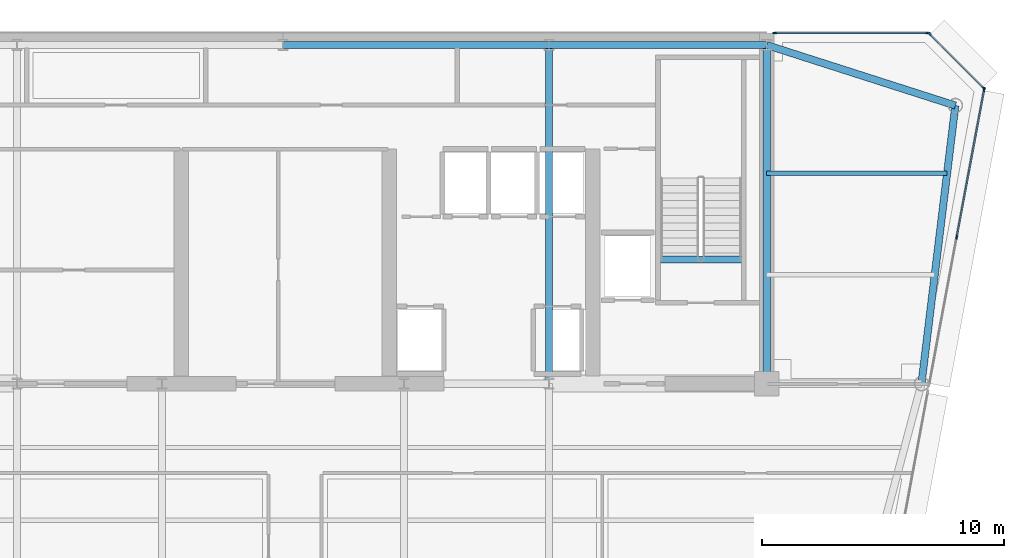
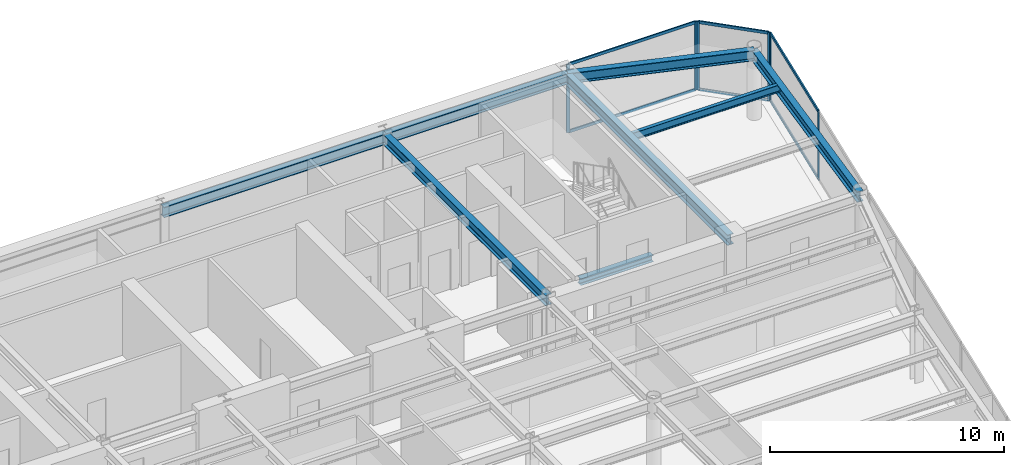
# One storey, part 7 of 14: 12 members, 8 beams, 3 elements without a shape of their own.
"""IFC4 building model written with IfcOpenShell, lengths in metres."""

from ifc_helpers import new_model, si_unit, direction, frame, origin, origin_2d, place, context, subcontext, project, spatial, rectangle, i_section, extrude, source, transform, mapped, material, layer, layer_set, material_profile, profile_set, type_object, element, aggregate, save


model = new_model("IFC4")

# Units and contexts
model_context = context("Model", 3, precision=1e-05, world=origin(), true_north=direction((0.0, 1.0)))
body_context = subcontext(model_context, "Body", "Model", "MODEL_VIEW")
ifc_project = project(units=[si_unit("LENGTHUNIT", "METRE"), si_unit("AREAUNIT", "SQUARE_METRE"), si_unit("VOLUMEUNIT", "CUBIC_METRE"), si_unit("PLANEANGLEUNIT", "RADIAN"), si_unit("MASSUNIT", "GRAM", prefix="KILO")], contexts=[model_context])

# Site, building, storey
site_placement = place(None, origin())
site = spatial("IfcSite", under=ifc_project, at=site_placement, CompositionType="ELEMENT")
building_placement = place(site_placement, origin())
building = spatial("IfcBuilding", under=site, at=building_placement, Name="Vaeldorn Concourse Tower", CompositionType="ELEMENT")
storey_placement = place(building_placement, frame((0.0, 0.0, 238.39990234375)))
storey = spatial("IfcBuildingStorey", under=building, at=storey_placement, Name="L61", CompositionType="ELEMENT", Elevation=238.39990234375)

# Beams
ifc_material_1 = material(Name="Steel S355", Category="steel")
ifc_material_profile_1 = material_profile(ifc_material_1, i_section(OverallWidth=0.300048828125, OverallDepth=0.340087890625, WebThickness=0.011962890625, FlangeThickness=0.021484375, FilletRadius=0.027099609375, at=origin_2d()), Name="HEB 340")
ifc_profile_set_1 = profile_set([ifc_material_profile_1], Name="Steel S355")
beam_type_1 = type_object("IfcBeamType", Name="BM-ST-TRIM", PredefinedType="BEAM", material=ifc_profile_set_1)
shared_shape_1 = source(origin(), body_context, "Body", "SweptSolid", [
    extrude(i_section(OverallWidth=0.300048828125, OverallDepth=0.340087890625, WebThickness=0.011962890625, FlangeThickness=0.021484375, FilletRadius=0.027099609375, at=origin_2d()), origin(), (0.0, 0.0, 1.0), 3.590087890625),
])
beam_1_placement = place(storey_placement, frame((49.47998046875, 41.639892578125, -0.389892578125), z_axis=(1.0, 0.0, 0.0), x_axis=(0.0, 1.0, 0.0)))
element("IfcBeam", 1, at=beam_1_placement, inside=storey, type_object=beam_type_1, Name="Stair Landing Trimmer Beam ST-2 L61", PredefinedType="BEAM", context=body_context, shape_type="MappedRepresentation", body=[
    mapped(shared_shape_1, transform((0.0, 0.0, 0.0), scale=1.0)),
])
ifc_material_profile_2 = material_profile(ifc_material_1, i_section(OverallWidth=0.179931640625, OverallDepth=0.39990234375, WebThickness=0.008544921875, FlangeThickness=0.013427734375, FilletRadius=0.02099609375, at=origin_2d()), Name="IPE 400")
ifc_profile_set_2 = profile_set([ifc_material_profile_2], Name="Steel S355")
beam_type_2 = type_object("IfcBeamType", Name="BM-JS-IPE400", PredefinedType="JOIST", material=ifc_profile_set_2)
shared_shape_2 = source(origin(), body_context, "Body", "SweptSolid", [
    extrude(i_section(OverallWidth=0.179931640625, OverallDepth=0.39990234375, WebThickness=0.008544921875, FlangeThickness=0.013427734375, FilletRadius=0.02099609375, at=origin_2d()), origin(), (0.0, 0.0, 1.0), 7.458984375),
])
beam_2_placement = place(storey_placement, frame((54.0, 45.199951171875, 3.380126953125), z_axis=(1.0, 0.0, 0.0), x_axis=(0.0, 1.0, 0.0)))
element("IfcBeam", 2, at=beam_2_placement, inside=storey, type_object=beam_type_2, Name="Beam JS-L61-NE-452", PredefinedType="JOIST", context=body_context, shape_type="MappedRepresentation", body=[
    mapped(shared_shape_2, transform((0.0, 0.0, 0.0), scale=1.0)),
])
ifc_material_profile_3 = material_profile(ifc_material_1, i_section(OverallWidth=0.300048828125, OverallDepth=0.550048828125, WebThickness=0.014892578125, FlangeThickness=0.029052734375, FilletRadius=0.027099609375, at=origin_2d()), Name="HEB 550")
ifc_profile_set_3 = profile_set([ifc_material_profile_3], Name="Steel S355")
beam_type_3 = type_object("IfcBeamType", Name="BM-PG-HEB550", PredefinedType="BEAM", material=ifc_profile_set_3)
shared_shape_3 = source(origin(), body_context, "Body", "SweptSolid", [
    extrude(i_section(OverallWidth=0.300048828125, OverallDepth=0.550048828125, WebThickness=0.014892578125, FlangeThickness=0.029052734375, FilletRadius=0.027099609375, at=origin_2d()), origin(), (0.0, 0.0, 1.0), 9.0),
])
beam_3_placement = place(storey_placement, frame((45.0, 50.5, 3.30517578125), z_axis=(1.0, 0.0, 0.0), x_axis=(0.0, 1.0, 0.0)))
element("IfcBeam", 3, at=beam_3_placement, inside=storey, type_object=beam_type_3, Name="Beam BM-L61-C-HC4-C-HC5", PredefinedType="BEAM", context=body_context, shape_type="MappedRepresentation", body=[
    mapped(shared_shape_3, transform((0.0, 0.0, 0.0), scale=1.0)),
])
shared_shape_4 = source(origin(), body_context, "Body", "SweptSolid", [
    extrude(i_section(OverallWidth=0.300048828125, OverallDepth=0.550048828125, WebThickness=0.014892578125, FlangeThickness=0.029052734375, FilletRadius=0.027099609375, at=origin_2d()), origin(), (0.0, 0.0, 1.0), 11.0),
])
beam_4_placement = place(storey_placement, frame((34.0, 50.5, 3.30517578125), z_axis=(1.0, 0.0, 0.0), x_axis=(0.0, 1.0, 0.0)))
element("IfcBeam", 4, at=beam_4_placement, inside=storey, type_object=beam_type_3, Name="Beam BM-L61-C-HC3-C-HC4", PredefinedType="BEAM", context=body_context, shape_type="MappedRepresentation", body=[
    mapped(shared_shape_4, transform((0.0, 0.0, 0.0), scale=1.0)),
])
shared_shape_5 = source(origin(), body_context, "Body", "SweptSolid", [
    extrude(i_section(OverallWidth=0.300048828125, OverallDepth=0.550048828125, WebThickness=0.014892578125, FlangeThickness=0.029052734375, FilletRadius=0.027099609375, at=origin_2d()), origin(), (0.0, 0.0, 1.0), 14.0),
])
for number, where, z_axis, x_axis, name in (
    (5, (45.0, 36.5, 3.30517578125), (0.0, 1.0, 0.0), (-1.0, 0.0, 0.0), "Beam BM-L61-C-FC5-C-HC4"),
    (6, (54.0, 36.5, 3.30517578125), (0.0, 1.0, 0.0), (-1.0, 0.0, 0.0), "Beam BM-L61-C-FC6-C-HC5"),
):
    element("IfcBeam", number, at=place(storey_placement, frame(where, z_axis=z_axis, x_axis=x_axis)), inside=storey, type_object=beam_type_3, Name=name, PredefinedType="BEAM", context=body_context, shape_type="MappedRepresentation", body=[
        mapped(shared_shape_5, transform((0.0, 0.0, 0.0), scale=1.0)),
    ])
shared_shape_6 = source(origin(), body_context, "Body", "SweptSolid", [
    extrude(i_section(OverallWidth=0.300048828125, OverallDepth=0.550048828125, WebThickness=0.014892578125, FlangeThickness=0.029052734375, FilletRadius=0.027099609375, at=origin_2d()), origin(), (0.0, 0.0, 1.0), 8.19091796875),
])
beam_5_placement = place(storey_placement, frame((54.0, 50.5, 3.30517578125), z_axis=(0.952282843383, -0.305216949396, 0.0), x_axis=(0.305216949396, 0.952282843383, 0.0)))
element("IfcBeam", 7, at=beam_5_placement, inside=storey, type_object=beam_type_3, Name="Beam BM-L61-C-HC5-C-NE1", PredefinedType="BEAM", context=body_context, shape_type="MappedRepresentation", body=[
    mapped(shared_shape_6, transform((0.0, 0.0, 0.0), scale=1.0)),
])
shared_shape_7 = source(origin(), body_context, "Body", "SweptSolid", [
    extrude(i_section(OverallWidth=0.300048828125, OverallDepth=0.550048828125, WebThickness=0.014892578125, FlangeThickness=0.029052734375, FilletRadius=0.027099609375, at=origin_2d()), origin(), (0.0, 0.0, 1.0), 11.5849609375),
])
beam_6_placement = place(storey_placement, frame((61.800048828125, 48.0, 3.30517578125), z_axis=(-0.120859382899, -0.992669637677, 0.0), x_axis=(0.992669637677, -0.120859382899, 0.0)))
element("IfcBeam", 8, at=beam_6_placement, inside=storey, type_object=beam_type_3, Name="Beam BM-L61-C-NE1-C-NE2", PredefinedType="BEAM", context=body_context, shape_type="MappedRepresentation", body=[
    mapped(shared_shape_7, transform((0.0, 0.0, 0.0), scale=1.0)),
])

# Curtain wall, members
ifc_material_2 = material(Name="Anodised Bronze Aluminium", Category="aluminium")
ifc_layer_1 = layer(ifc_material_2, 0.179931640625)
ifc_layer_set_1 = layer_set([ifc_layer_1], Name="Anodised Bronze Aluminium")
curtain_wall_type_1 = type_object("IfcCurtainWallType", Name="CW-SYS-05", PredefinedType="NOTDEFINED", material=ifc_layer_set_1)
curtain_wall_1_placement = place(storey_placement, origin())
curtain_wall_1 = element("IfcCurtainWall", 9, at=curtain_wall_1_placement, inside=storey, type_object=curtain_wall_type_1, Name="Unitised Curtain Wall CW-L61-E08-1", PredefinedType="NOTDEFINED")
ifc_material_profile_4 = material_profile(ifc_material_2, rectangle(XDim=0.06494140625, YDim=0.14990234375, at=origin_2d()), Name="CWT 65x150")
ifc_profile_set_4 = profile_set([ifc_material_profile_4], Name="Anodised Bronze Aluminium")
member_type_1 = type_object("IfcMemberType", Name="CWT-BRONZE-150", PredefinedType="USERDEFINED", material=ifc_profile_set_4)
shared_shape_8 = source(origin(), body_context, "Body", "SweptSolid", [
    extrude(rectangle(XDim=0.06494140625, YDim=0.14990234375, at=origin_2d()), origin(), (0.0, 0.0, 1.0), 3.123046875),
])
member_1_placement = place(storey_placement, frame((62.9541015625, 48.745849609375, 0.03271484375), z_axis=(-0.707106781187, 0.707106781187, 0.0), x_axis=(-0.707106781187, -0.707106781187, 0.0)))
member_1 = element("IfcMember", 10, at=member_1_placement, type_object=member_type_1, Name="CW-05 transom 1.1", ObjectType="TRANSOM", PredefinedType="USERDEFINED", context=body_context, shape_type="MappedRepresentation", body=[
    mapped(shared_shape_8, transform((0.0, 0.0, 0.0), scale=1.0)),
])
member_2_placement = place(storey_placement, frame((62.9541015625, 48.745849609375, 3.547607421875), z_axis=(-0.707106781187, 0.707106781187, 0.0), x_axis=(-0.707106781187, -0.707106781187, 0.0)))
member_2 = element("IfcMember", 11, at=member_2_placement, type_object=member_type_1, Name="CW-05 transom 1.2", ObjectType="TRANSOM", PredefinedType="USERDEFINED", context=body_context, shape_type="MappedRepresentation", body=[
    mapped(shared_shape_8, transform((0.0, 0.0, 0.0), scale=1.0)),
])

ifc_layer_2 = layer(ifc_material_2, 0.2099609375)
ifc_layer_set_2 = layer_set([ifc_layer_2], Name="Anodised Bronze Aluminium")
curtain_wall_type_2 = type_object("IfcCurtainWallType", Name="CW-SYS-06", PredefinedType="NOTDEFINED", material=ifc_layer_set_2)
curtain_wall_2_placement = place(storey_placement, origin())
curtain_wall_2 = element("IfcCurtainWall", 12, at=curtain_wall_2_placement, inside=storey, type_object=curtain_wall_type_2, Name="Unitised Curtain Wall CW-L61-E07-2", PredefinedType="NOTDEFINED")
ifc_material_profile_5 = material_profile(ifc_material_2, rectangle(XDim=0.06494140625, YDim=0.169921875, at=origin_2d()), Name="CWM 65x170")
ifc_profile_set_5 = profile_set([ifc_material_profile_5], Name="Anodised Bronze Aluminium")
member_type_2 = type_object("IfcMemberType", Name="CWM-BRONZE-170", PredefinedType="MULLION", material=ifc_profile_set_5)
shared_shape_9 = source(origin(), body_context, "Body", "SweptSolid", [
    extrude(rectangle(XDim=0.06494140625, YDim=0.169921875, at=origin_2d()), origin(), (0.0, 0.0, 1.0), 3.580078125),
])
member_3_placement = place(storey_placement, frame((61.857421875, 42.564208984375, 0.0), z_axis=(0.0, 0.0, 1.0), x_axis=(-0.983102768025, 0.183054493257, 0.0)))
member_3 = element("IfcMember", 13, at=member_3_placement, type_object=member_type_2, Name="CW-06 mullion 2", PredefinedType="MULLION", context=body_context, shape_type="MappedRepresentation", body=[
    mapped(shared_shape_9, transform((0.0, 0.0, 0.0), scale=1.0)),
])
member_4_placement = place(storey_placement, frame((62.994140625, 48.66796875, 0.0), z_axis=(0.0, 0.0, 1.0), x_axis=(-0.983102768025, 0.183054493257, 0.0)))
member_4 = element("IfcMember", 14, at=member_4_placement, type_object=member_type_2, Name="CW-06 mullion 3", PredefinedType="MULLION", context=body_context, shape_type="MappedRepresentation", body=[
    mapped(shared_shape_9, transform((0.0, 0.0, 0.0), scale=1.0)),
])

# Member
member_5_placement = place(storey_placement, frame((62.97705078125, 48.722900390625, 0.0), z_axis=(0.0, 0.0, 1.0), x_axis=(-0.707106781187, -0.707106781187, 0.0)))
member_5 = element("IfcMember", 15, at=member_5_placement, type_object=member_type_2, Name="CW-05 mullion 1", PredefinedType="MULLION", context=body_context, shape_type="MappedRepresentation", body=[
    mapped(shared_shape_9, transform((0.0, 0.0, 0.0), scale=1.0)),
])

member_6_placement = place(storey_placement, frame((60.722900390625, 50.97705078125, 0.0), z_axis=(0.0, 0.0, 1.0), x_axis=(-0.707106781187, -0.707106781187, 0.0)))
member_6 = element("IfcMember", 16, at=member_6_placement, type_object=member_type_2, Name="CW-05 mullion 2", PredefinedType="MULLION", context=body_context, shape_type="MappedRepresentation", body=[
    mapped(shared_shape_9, transform((0.0, 0.0, 0.0), scale=1.0)),
])

aggregate(curtain_wall_1, [member_5, member_6, member_1, member_2])

# Curtain wall, members
curtain_wall_3_placement = place(storey_placement, origin())
curtain_wall_3 = element("IfcCurtainWall", 17, at=curtain_wall_3_placement, inside=storey, type_object=curtain_wall_type_1, Name="Unitised Curtain Wall CW-L61-E09-1", PredefinedType="NOTDEFINED")
member_7_placement = place(storey_placement, frame((60.66748046875, 51.0, 0.0), z_axis=(0.0, 0.0, 1.0), x_axis=(0.0, -1.0, 0.0)))
member_7 = element("IfcMember", 18, at=member_7_placement, type_object=member_type_2, Name="CW-05 mullion 1", PredefinedType="MULLION", context=body_context, shape_type="MappedRepresentation", body=[
    mapped(shared_shape_9, transform((0.0, 0.0, 0.0), scale=1.0)),
])
member_8_placement = place(storey_placement, frame((54.327392578125, 51.0, 0.0), z_axis=(0.0, 0.0, 1.0), x_axis=(0.0, -1.0, 0.0)))
member_8 = element("IfcMember", 19, at=member_8_placement, type_object=member_type_2, Name="CW-05 mullion 2", PredefinedType="MULLION", context=body_context, shape_type="MappedRepresentation", body=[
    mapped(shared_shape_9, transform((0.0, 0.0, 0.0), scale=1.0)),
])
shared_shape_10 = source(origin(), body_context, "Body", "SweptSolid", [
    extrude(rectangle(XDim=0.06494140625, YDim=0.14990234375, at=origin_2d()), origin(), (0.0, 0.0, 1.0), 6.27490234375),
])
member_9_placement = place(storey_placement, frame((60.635009765625, 51.0, 0.03271484375), z_axis=(-1.0, 0.0, 0.0), x_axis=(0.0, -1.0, 0.0)))
member_9 = element("IfcMember", 20, at=member_9_placement, type_object=member_type_1, Name="CW-05 transom 1.1", ObjectType="TRANSOM", PredefinedType="USERDEFINED", context=body_context, shape_type="MappedRepresentation", body=[
    mapped(shared_shape_10, transform((0.0, 0.0, 0.0), scale=1.0)),
])
member_10_placement = place(storey_placement, frame((60.635009765625, 51.0, 3.547607421875), z_axis=(-1.0, 0.0, 0.0), x_axis=(0.0, -1.0, 0.0)))
member_10 = element("IfcMember", 21, at=member_10_placement, type_object=member_type_1, Name="CW-05 transom 1.2", ObjectType="TRANSOM", PredefinedType="USERDEFINED", context=body_context, shape_type="MappedRepresentation", body=[
    mapped(shared_shape_10, transform((0.0, 0.0, 0.0), scale=1.0)),
])
aggregate(curtain_wall_3, [member_7, member_8, member_9, member_10])

# Member
shared_shape_11 = source(origin(), body_context, "Body", "SweptSolid", [
    extrude(rectangle(XDim=0.06494140625, YDim=0.14990234375, at=origin_2d()), origin(), (0.0, 0.0, 1.0), 6.1435546875),
])
member_11_placement = place(storey_placement, frame((61.863525390625, 42.59619140625, 0.03271484375), z_axis=(0.183038328644, 0.983105777751, 0.0), x_axis=(-0.983105777751, 0.183038328644, 0.0)))
member_11 = element("IfcMember", 22, at=member_11_placement, type_object=member_type_1, Name="CW-06 transom 2.1", ObjectType="TRANSOM", PredefinedType="USERDEFINED", context=body_context, shape_type="MappedRepresentation", body=[
    mapped(shared_shape_11, transform((0.0, 0.0, 0.0), scale=1.0)),
])

member_12_placement = place(storey_placement, frame((61.863525390625, 42.59619140625, 3.547607421875), z_axis=(0.183038328644, 0.983105777751, 0.0), x_axis=(-0.983105777751, 0.183038328644, 0.0)))
member_12 = element("IfcMember", 23, at=member_12_placement, type_object=member_type_1, Name="CW-06 transom 2.2", ObjectType="TRANSOM", PredefinedType="USERDEFINED", context=body_context, shape_type="MappedRepresentation", body=[
    mapped(shared_shape_11, transform((0.0, 0.0, 0.0), scale=1.0)),
])

aggregate(curtain_wall_2, [member_3, member_4, member_11, member_12])

save(model, "model.ifc")
